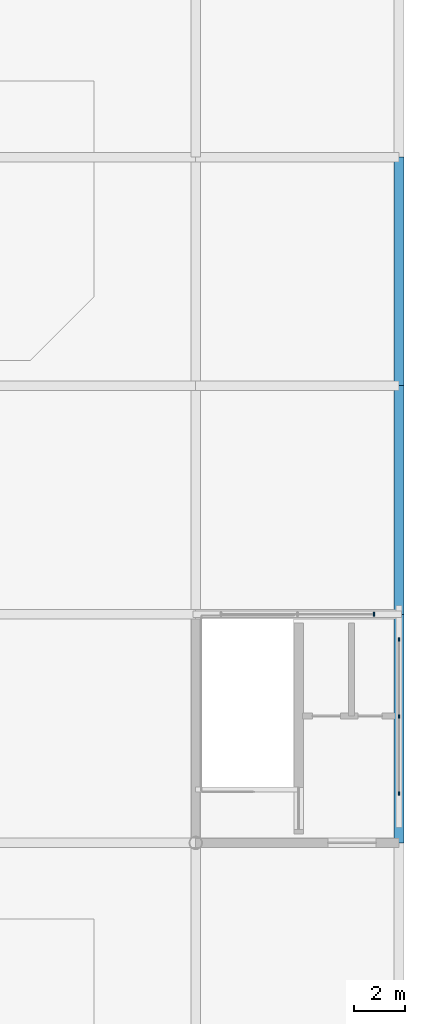
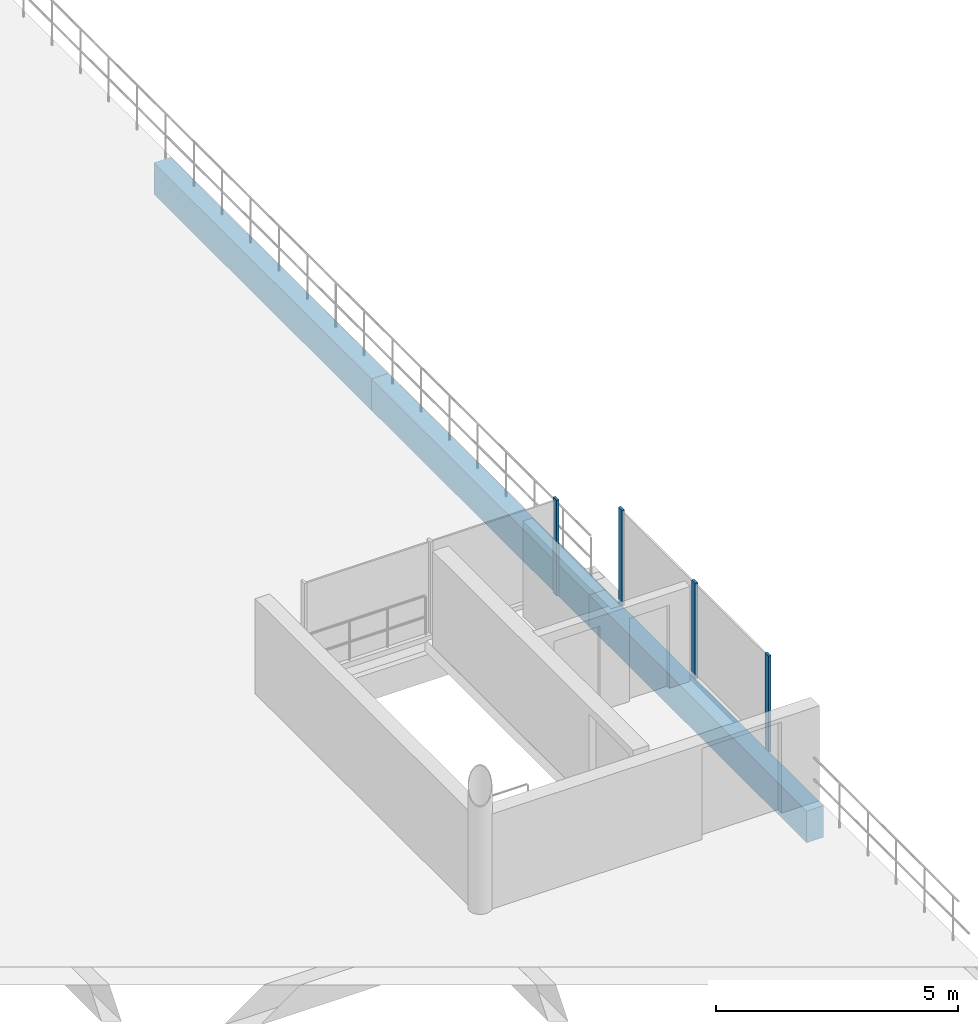
# One storey, part 20 of 52: 4 members, 3 beams, 2 elements without a shape of their own.
"""IFC4 building model written with IfcOpenShell, lengths in metres."""

from ifc_helpers import new_model, si_unit, derived_unit, direction, frame, origin, origin_2d, place, context, subcontext, project, spatial, rectangle, extrude, material, layer, layer_set, material_profile, profile_set, type_object, element, aggregate, save


model = new_model("IFC4")

# Units and contexts
model_context = context("Model", 3, precision=1e-05, world=origin(), true_north=direction((0.0, 1.0)))
body_context = subcontext(model_context, "Body", "Model", "MODEL_VIEW")
ifc_project = project(units=[si_unit("LENGTHUNIT", "METRE"), si_unit("AREAUNIT", "SQUARE_METRE"), si_unit("VOLUMEUNIT", "CUBIC_METRE"), si_unit("PLANEANGLEUNIT", "RADIAN"), si_unit("MASSUNIT", "GRAM", prefix="KILO"), si_unit("THERMODYNAMICTEMPERATUREUNIT", "KELVIN"), derived_unit("THERMALTRANSMITTANCEUNIT", [(si_unit("POWERUNIT", "WATT"), 1), (si_unit("AREAUNIT", "SQUARE_METRE"), -1), (si_unit("THERMODYNAMICTEMPERATUREUNIT", "KELVIN"), -1)])], contexts=[model_context])

# Site, building, storey
site_placement = place(None, origin())
site = spatial("IfcSite", under=ifc_project, at=site_placement, CompositionType="ELEMENT")
building_placement = place(site_placement, origin())
building = spatial("IfcBuilding", under=site, at=building_placement, Name="Haiyu Intermodal Mobility Hub", CompositionType="ELEMENT")
storey_placement = place(building_placement, frame((0.0, 0.0, 21.199951171875)))
storey = spatial("IfcBuildingStorey", under=building, at=storey_placement, Name="L05", CompositionType="ELEMENT", Elevation=21.199951171875)

# Beams
ifc_material_1 = material(Name="Concrete C40", Category="concrete")
ifc_material_profile_1 = material_profile(ifc_material_1, rectangle(XDim=0.39990234375, YDim=0.800048828125, at=origin_2d()), Name="RCB400x800")
ifc_profile_set_1 = profile_set([ifc_material_profile_1], Name="Concrete C40")
beam_type = type_object("IfcBeamType", Name="BM-CB05", PredefinedType="BEAM", material=ifc_profile_set_1)
for number, where, z_axis, x_axis, name in (
    (1, (210.0, 113.0, -0.699951171875), (0.0, 1.0, 0.0), (-1.0, 0.0, 0.0), "BM-V6T-L05-053"),
    (2, (210.0, 122.0, -0.699951171875), (0.0, 1.0, 0.0), (-1.0, 0.0, 0.0), "BM-V6T-L05-054"),
    (3, (210.0, 131.0, -0.699951171875), (0.0, 1.0, 0.0), (-1.0, 0.0, 0.0), "BM-V6T-L05-055"),
):
    element("IfcBeam", number, at=place(storey_placement, frame(where, z_axis=z_axis, x_axis=x_axis)), inside=storey, type_object=beam_type, Name=name, PredefinedType="BEAM", context=body_context, shape_type="SweptSolid", body=[
        extrude(rectangle(XDim=0.39990234375, YDim=0.800048828125, at=origin_2d()), origin(), (0.0, 0.0, 1.0), 9.0),
    ])

# Curtain wall, members
ifc_material_2 = material(Name="Low-e laminated insulating glass", Category="glass")
ifc_layer = layer(ifc_material_2, 0.199951171875)
ifc_layer_set = layer_set([ifc_layer], Name="Low-e laminated insulating glass")
curtain_wall_type = type_object("IfcCurtainWallType", Name="CW-CW03", PredefinedType="NOTDEFINED", material=ifc_layer_set)
curtain_wall_1_placement = place(storey_placement, origin())
curtain_wall_1 = element("IfcCurtainWall", 4, at=curtain_wall_1_placement, inside=storey, type_object=curtain_wall_type, Name="Curtain Wall CW-CPAR-C10-E", PredefinedType="NOTDEFINED")
ifc_material_3 = material(Name="Anodised aluminium 6063-T6", Category="aluminium")
ifc_material_profile_2 = material_profile(ifc_material_3, rectangle(XDim=0.06005859375, YDim=0.14501953125, at=origin_2d()), Name="ALU60x145")
ifc_profile_set_2 = profile_set([ifc_material_profile_2], Name="Anodised aluminium 6063-T6")
member_type = type_object("IfcMemberType", Name="CWM-ML03", PredefinedType="MULLION", material=ifc_profile_set_2)
member_1_placement = place(storey_placement, frame((210.0, 114.93994140625, 0.0), z_axis=(0.0, 0.0, 1.0), x_axis=(1.0, 0.0, 0.0)))
member_1 = element("IfcMember", 5, at=member_1_placement, type_object=member_type, Name="CW-CPAR-C10-E-ML01", PredefinedType="MULLION", context=body_context, shape_type="SweptSolid", body=[
    extrude(rectangle(XDim=0.06005859375, YDim=0.14501953125, at=origin_2d()), origin(), (0.0, 0.0, 1.0), 2.421142578125),
])
member_2_placement = place(storey_placement, frame((210.0, 117.97509765625, 0.0), z_axis=(0.0, 0.0, 1.0), x_axis=(1.0, 0.0, 0.0)))
member_2 = element("IfcMember", 6, at=member_2_placement, type_object=member_type, Name="CW-CPAR-C10-E-ML02", PredefinedType="MULLION", context=body_context, shape_type="SweptSolid", body=[
    extrude(rectangle(XDim=0.06005859375, YDim=0.14501953125, at=origin_2d()), origin(), (0.0, 0.0, 1.0), 2.421142578125),
])
member_3_placement = place(storey_placement, frame((210.0, 121.010009765625, 0.0), z_axis=(0.0, 0.0, 1.0), x_axis=(1.0, 0.0, 0.0)))
member_3 = element("IfcMember", 7, at=member_3_placement, type_object=member_type, Name="CW-CPAR-C10-E-ML03", PredefinedType="MULLION", context=body_context, shape_type="SweptSolid", body=[
    extrude(rectangle(XDim=0.06005859375, YDim=0.14501953125, at=origin_2d()), origin(), (0.0, 0.0, 1.0), 2.421142578125),
])
aggregate(curtain_wall_1, [member_1, member_2, member_3])

# Curtain wall, member
curtain_wall_2_placement = place(storey_placement, origin())
curtain_wall_2 = element("IfcCurtainWall", 8, at=curtain_wall_2_placement, inside=storey, type_object=curtain_wall_type, Name="Curtain Wall CW-CPAR-C10-N", PredefinedType="NOTDEFINED")
member_4_placement = place(storey_placement, frame((209.010009765625, 122.0, 0.0), z_axis=(0.0, 0.0, 1.0), x_axis=(1.0, 0.0, 0.0)))
member_4 = element("IfcMember", 9, at=member_4_placement, type_object=member_type, Name="CW-CPAR-C10-N-ML01", PredefinedType="MULLION", context=body_context, shape_type="SweptSolid", body=[
    extrude(rectangle(XDim=0.06005859375, YDim=0.14501953125, at=origin_2d()), origin(), (0.0, 0.0, 1.0), 2.421142578125),
])
aggregate(curtain_wall_2, [member_4])

save(model, "model.ifc")
